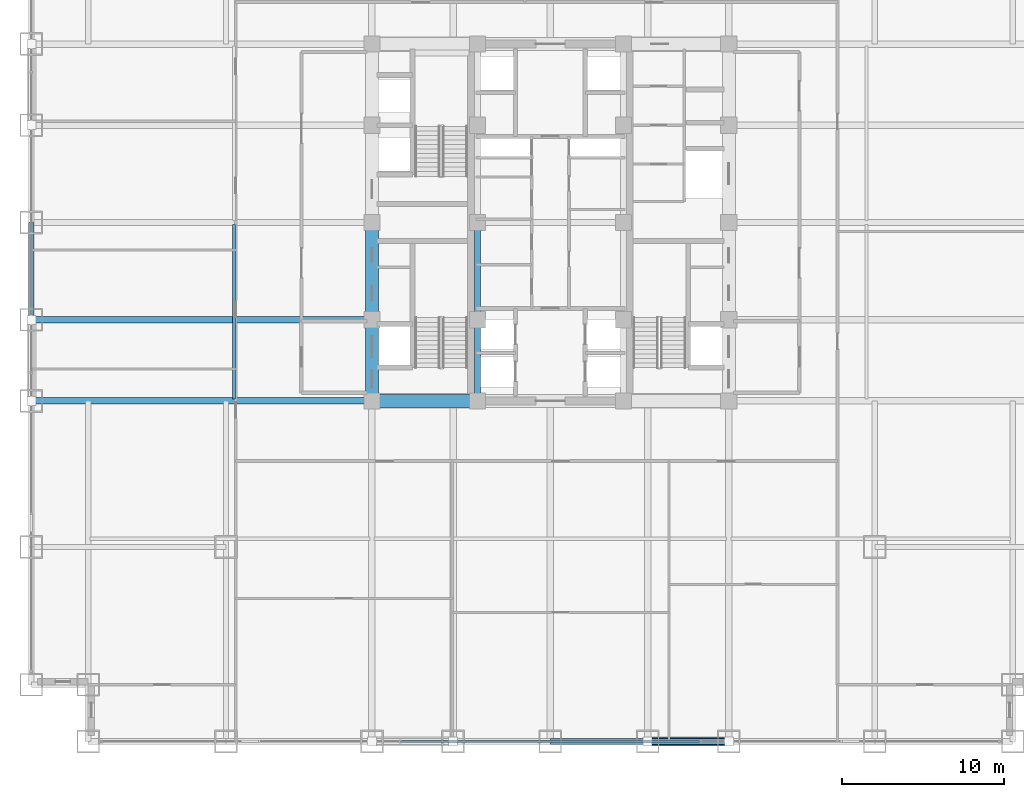
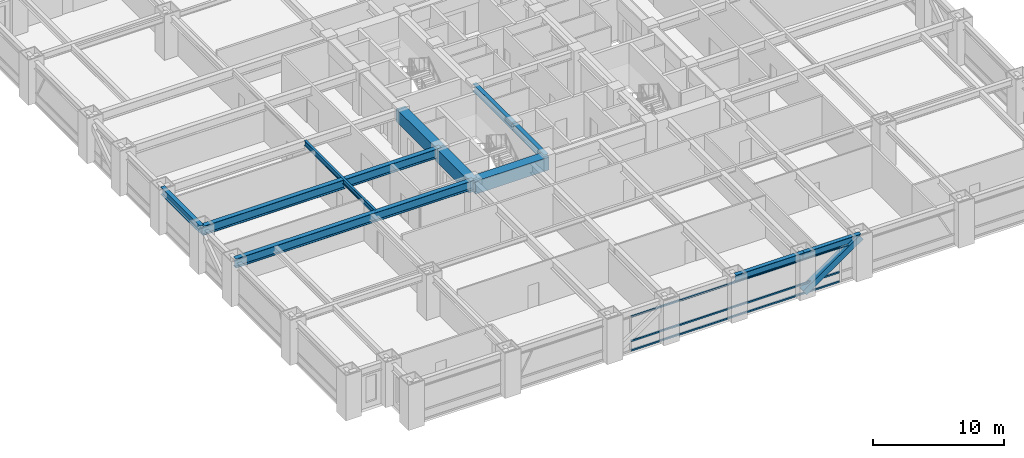
# One storey, part 7 of 28: 11 beams, 4 members, 1 element without a shape of its own.
"""IFC4 building model written with IfcOpenShell, lengths in metres."""

from ifc_helpers import new_model, si_unit, direction, frame, origin, origin_2d, place, context, subcontext, project, spatial, rectangle, hollow_rectangle, i_section, extrude, source, transform, mapped, material, material_profile, profile_set, type_object, element, aggregate, save


model = new_model("IFC4")

# Units and contexts
model_context = context("Model", 3, precision=1e-05, world=origin(), true_north=direction((0.0, 1.0)))
body_context = subcontext(model_context, "Body", "Model", "MODEL_VIEW")
ifc_project = project(units=[si_unit("LENGTHUNIT", "METRE"), si_unit("AREAUNIT", "SQUARE_METRE"), si_unit("VOLUMEUNIT", "CUBIC_METRE"), si_unit("PLANEANGLEUNIT", "RADIAN"), si_unit("MASSUNIT", "GRAM", prefix="KILO")], contexts=[model_context])

# Site, building, storey
site_placement = place(None, origin())
site = spatial("IfcSite", under=ifc_project, at=site_placement, CompositionType="ELEMENT")
building_placement = place(site_placement, origin())
building = spatial("IfcBuilding", under=site, at=building_placement, Name="Khorayat Bourse Tower", CompositionType="ELEMENT")
storey_placement = place(building_placement, frame((0.0, 0.0, 57.800048828125)))
storey = spatial("IfcBuildingStorey", under=building, at=storey_placement, Name="L12", CompositionType="ELEMENT", Elevation=57.800048828125)

# Beams
ifc_material_1 = material(Name="Concrete C72/90", Category="concrete")
ifc_material_profile_1 = material_profile(ifc_material_1, rectangle(XDim=0.800048828125, YDim=1.199951171875, at=origin_2d()), Name="RC 800x1200")
ifc_profile_set_1 = profile_set([ifc_material_profile_1], Name="Concrete C72/90")
beam_type_1 = type_object("IfcBeamType", Name="BM-COUP-1200", PredefinedType="BEAM", material=ifc_profile_set_1)
shared_shape_1 = source(origin(), body_context, "Body", "SweptSolid", [
    extrude(rectangle(XDim=0.800048828125, YDim=1.199951171875, at=origin_2d()), origin(), (0.0, 0.0, 1.0), 5.0),
])
beam_1_placement = place(storey_placement, frame((-11.0, -11.0, 3.33984375), z_axis=(0.0, 1.0, 0.0), x_axis=(-1.0, 0.0, 0.0)))
element("IfcBeam", 1, at=beam_1_placement, inside=storey, type_object=beam_type_1, Name="L12 BM-COUP-1200 BM-L12-CRX-01", PredefinedType="BEAM", context=body_context, shape_type="MappedRepresentation", body=[
    mapped(shared_shape_1, transform((0.0, 0.0, 0.0), scale=1.0)),
])
shared_shape_2 = source(origin(), body_context, "Body", "SweptSolid", [
    extrude(rectangle(XDim=0.800048828125, YDim=1.199951171875, at=origin_2d()), origin(), (0.0, 0.0, 1.0), 6.0),
])
beam_2_placement = place(storey_placement, frame((-11.0, -6.0, 3.33984375), z_axis=(0.0, 1.0, 0.0), x_axis=(-1.0, 0.0, 0.0)))
element("IfcBeam", 2, at=beam_2_placement, inside=storey, type_object=beam_type_1, Name="L12 BM-COUP-1200 BM-L12-CRX-02", PredefinedType="BEAM", context=body_context, shape_type="MappedRepresentation", body=[
    mapped(shared_shape_2, transform((0.0, 0.0, 0.0), scale=1.0)),
])
ifc_material_2 = material(Name="Steel ASTM A992 Grade 50", Category="steel")
ifc_material_profile_2 = material_profile(ifc_material_2, i_section(OverallWidth=0.35498046875, OverallDepth=0.695068359375, WebThickness=0.015380859375, FlangeThickness=0.02490234375, FilletRadius=0.01806640625, at=origin_2d()), Name="W690X217")
ifc_profile_set_2 = profile_set([ifc_material_profile_2], Name="Steel ASTM A992 Grade 50")
beam_type_2 = type_object("IfcBeamType", Name="BM-GIRD-690", PredefinedType="BEAM", material=ifc_profile_set_2)
shared_shape_3 = source(origin(), body_context, "Body", "SweptSolid", [
    extrude(i_section(OverallWidth=0.35498046875, OverallDepth=0.695068359375, WebThickness=0.015380859375, FlangeThickness=0.02490234375, FilletRadius=0.01806640625, at=origin_2d()), origin(), (0.0, 0.0, 1.0), 5.0),
])
beam_3_placement = place(storey_placement, frame((-4.5, -11.0, 3.592529296875), z_axis=(0.0, 1.0, 0.0), x_axis=(-1.0, 0.0, 0.0)))
element("IfcBeam", 3, at=beam_3_placement, inside=storey, type_object=beam_type_2, Name="L12 BM-GIRD-690 BM-L12-CRX-05", PredefinedType="BEAM", context=body_context, shape_type="MappedRepresentation", body=[
    mapped(shared_shape_3, transform((0.0, 0.0, 0.0), scale=1.0)),
])
shared_shape_4 = source(origin(), body_context, "Body", "SweptSolid", [
    extrude(i_section(OverallWidth=0.35498046875, OverallDepth=0.695068359375, WebThickness=0.015380859375, FlangeThickness=0.02490234375, FilletRadius=0.01806640625, at=origin_2d()), origin(), (0.0, 0.0, 1.0), 6.0),
])
beam_4_placement = place(storey_placement, frame((-4.5, -6.0, 3.592529296875), z_axis=(0.0, 1.0, 0.0), x_axis=(-1.0, 0.0, 0.0)))
element("IfcBeam", 4, at=beam_4_placement, inside=storey, type_object=beam_type_2, Name="L12 BM-GIRD-690 BM-L12-CRX-06", PredefinedType="BEAM", context=body_context, shape_type="MappedRepresentation", body=[
    mapped(shared_shape_4, transform((0.0, 0.0, 0.0), scale=1.0)),
])
shared_shape_5 = source(origin(), body_context, "Body", "SweptSolid", [
    extrude(rectangle(XDim=0.800048828125, YDim=1.199951171875, at=origin_2d()), origin(), (0.0, 0.0, 1.0), 6.5),
])
beam_5_placement = place(storey_placement, frame((-11.0, -11.0, 3.33984375), z_axis=(1.0, 0.0, 0.0), x_axis=(0.0, 1.0, 0.0)))
element("IfcBeam", 5, at=beam_5_placement, inside=storey, type_object=beam_type_1, Name="L12 BM-COUP-1200 BM-L12-CRY-17", PredefinedType="BEAM", context=body_context, shape_type="MappedRepresentation", body=[
    mapped(shared_shape_5, transform((0.0, 0.0, 0.0), scale=1.0)),
])
ifc_material_profile_3 = material_profile(ifc_material_2, i_section(OverallWidth=0.35498046875, OverallDepth=0.695068359375, WebThickness=0.015380859375, FlangeThickness=0.02490234375, FilletRadius=0.01806640625, at=origin_2d()), Name="W690X217")
ifc_profile_set_3 = profile_set([ifc_material_profile_3], Name="Steel ASTM A992 Grade 50")
beam_type_3 = type_object("IfcBeamType", Name="BM-SPAN-690", PredefinedType="SPANDREL", material=ifc_profile_set_3)
shared_shape_6 = source(origin(), body_context, "Body", "SweptSolid", [
    extrude(i_section(OverallWidth=0.35498046875, OverallDepth=0.695068359375, WebThickness=0.015380859375, FlangeThickness=0.02490234375, FilletRadius=0.01806640625, at=origin_2d()), origin(), (0.0, 0.0, 1.0), 5.0),
])
beam_6_placement = place(storey_placement, frame((6.0, -32.0, 3.592529296875), z_axis=(1.0, 0.0, 0.0), x_axis=(0.0, 1.0, 0.0)))
element("IfcBeam", 6, at=beam_6_placement, inside=storey, type_object=beam_type_3, Name="L12 BM-SPAN-690 BM-L12-SPN-029", PredefinedType="SPANDREL", context=body_context, shape_type="MappedRepresentation", body=[
    mapped(shared_shape_6, transform((0.0, 0.0, 0.0), scale=1.0)),
])
shared_shape_7 = source(origin(), body_context, "Body", "SweptSolid", [
    extrude(i_section(OverallWidth=0.35498046875, OverallDepth=0.695068359375, WebThickness=0.015380859375, FlangeThickness=0.02490234375, FilletRadius=0.01806640625, at=origin_2d()), origin(), (0.0, 0.0, 1.0), 6.0),
])
for number, where, z_axis, x_axis, name in (
    (7, (0.0, -32.0, 3.592529296875), (1.0, 0.0, 0.0), (0.0, 1.0, 0.0), "L12 BM-SPAN-690 BM-L12-SPN-028"),
    (8, (-32.0, -6.0, 3.592529296875), (0.0, 1.0, 0.0), (-1.0, 0.0, 0.0), "L12 BM-SPAN-690 BM-L12-SPN-058"),
):
    element("IfcBeam", number, at=place(storey_placement, frame(where, z_axis=z_axis, x_axis=x_axis)), inside=storey, type_object=beam_type_3, Name=name, PredefinedType="SPANDREL", context=body_context, shape_type="MappedRepresentation", body=[
        mapped(shared_shape_7, transform((0.0, 0.0, 0.0), scale=1.0)),
    ])
ifc_material_profile_4 = material_profile(ifc_material_2, i_section(OverallWidth=0.39990234375, OverallDepth=0.85498046875, WebThickness=0.018310546875, FlangeThickness=0.029296875, FilletRadius=0.02001953125, at=origin_2d()), Name="W840X299")
ifc_profile_set_4 = profile_set([ifc_material_profile_4], Name="Steel ASTM A992 Grade 50")
beam_type_4 = type_object("IfcBeamType", Name="BM-GIRD-840", PredefinedType="BEAM", material=ifc_profile_set_4)
shared_shape_8 = source(origin(), body_context, "Body", "SweptSolid", [
    extrude(i_section(OverallWidth=0.39990234375, OverallDepth=0.85498046875, WebThickness=0.018310546875, FlangeThickness=0.029296875, FilletRadius=0.02001953125, at=origin_2d()), origin(), (0.0, 0.0, 1.0), 21.0),
])
for number, where, z_axis, x_axis, name in (
    (9, (-32.0, -11.0, 3.512451171875), (1.0, 0.0, 0.0), (0.0, 1.0, 0.0), "L12 BM-GIRD-840 BM-L12-RADX-075"),
    (10, (-32.0, -6.0, 3.512451171875), (1.0, 0.0, 0.0), (0.0, 1.0, 0.0), "L12 BM-GIRD-840 BM-L12-RADX-077"),
):
    element("IfcBeam", number, at=place(storey_placement, frame(where, z_axis=z_axis, x_axis=x_axis)), inside=storey, type_object=beam_type_4, Name=name, PredefinedType="BEAM", context=body_context, shape_type="MappedRepresentation", body=[
        mapped(shared_shape_8, transform((0.0, 0.0, 0.0), scale=1.0)),
    ])
ifc_material_profile_5 = material_profile(ifc_material_2, i_section(OverallWidth=0.194091796875, OverallDepth=0.468994140625, WebThickness=0.0126953125, FlangeThickness=0.0205078125, FilletRadius=0.012939453125, at=origin_2d()), Name="W460X106")
ifc_profile_set_5 = profile_set([ifc_material_profile_5], Name="Steel ASTM A992 Grade 50")
beam_type_5 = type_object("IfcBeamType", Name="BM-JOIST-460", PredefinedType="JOIST", material=ifc_profile_set_5)
shared_shape_9 = source(origin(), body_context, "Body", "SweptSolid", [
    extrude(i_section(OverallWidth=0.194091796875, OverallDepth=0.468994140625, WebThickness=0.0126953125, FlangeThickness=0.0205078125, FilletRadius=0.012939453125, at=origin_2d()), origin(), (0.0, 0.0, 1.0), 10.740234375),
])
beam_7_placement = place(storey_placement, frame((-19.5, -10.8701171875, 3.70556640625), z_axis=(0.0, 1.0, 0.0), x_axis=(-1.0, 0.0, 0.0)))
element("IfcBeam", 11, at=beam_7_placement, inside=storey, type_object=beam_type_5, Name="L12 BM-JOIST-460 BM-L12-JSTY-102", PredefinedType="JOIST", context=body_context, shape_type="MappedRepresentation", body=[
    mapped(shared_shape_9, transform((0.0, 0.0, 0.0), scale=1.0)),
])

# Member
ifc_material_3 = material(Name="Steel EN 10025-4 S460M", Category="steel")
ifc_material_profile_6 = material_profile(ifc_material_3, hollow_rectangle(XDim=0.550048828125, YDim=0.550048828125, WallThickness=0.031982421875, at=origin_2d()), Name="HSS 550x550x32")
ifc_profile_set_6 = profile_set([ifc_material_profile_6], Name="Steel EN 10025-4 S460M")
member_type_1 = type_object("IfcMemberType", Name="MBR-TUBE-550", PredefinedType="BRACE", material=ifc_profile_set_6)
shared_shape_10 = source(origin(), body_context, "Body", "SweptSolid", [
    extrude(hollow_rectangle(XDim=0.550048828125, YDim=0.550048828125, WallThickness=0.031982421875, at=origin_2d()), origin(), (0.0, 0.0, 1.0), 6.069091796875),
])
member_1_placement = place(storey_placement, frame((6.0, -32.0, 0.25), z_axis=(0.823854080622, 0.0, 0.566801952928), x_axis=(0.0, 1.0, 0.0)))
element("IfcMember", 12, at=member_1_placement, inside=storey, type_object=member_type_1, Name="L12 Perimeter Tube Brace 02", PredefinedType="BRACE", context=body_context, shape_type="MappedRepresentation", body=[
    mapped(shared_shape_10, transform((0.0, 0.0, 0.0), scale=1.0)),
])

# Curtain wall, members
ifc_material_4 = material(Name="Aluminium EN AW-6063 T6", Category="aluminium")
curtain_wall_type = type_object("IfcCurtainWallType", Name="CW-SYS-02", PredefinedType="NOTDEFINED", material=ifc_material_4)
curtain_wall_placement = place(storey_placement, origin())
curtain_wall = element("IfcCurtainWall", 13, at=curtain_wall_placement, inside=storey, type_object=curtain_wall_type, Name="L12 Curtain Wall CW-L12-S1", PredefinedType="NOTDEFINED")
ifc_material_profile_7 = material_profile(ifc_material_4, hollow_rectangle(XDim=0.139892578125, YDim=0.139892578125, WallThickness=0.006103515625, at=origin_2d()), Name="ALU 140x140x6")
ifc_profile_set_7 = profile_set([ifc_material_profile_7], Name="Aluminium EN AW-6063 T6")
member_type_2 = type_object("IfcMemberType", Name="CWT-HORZ-140", PredefinedType="USERDEFINED", material=ifc_profile_set_7)
shared_shape_11 = source(origin(), body_context, "Body", "SweptSolid", [
    extrude(hollow_rectangle(XDim=0.139892578125, YDim=0.139892578125, WallThickness=0.006103515625, at=origin_2d()), origin(), (0.0, 0.0, 1.0), 18.35986328125),
])
member_2_placement = place(storey_placement, frame((-9.179931640625, -32.0, 0.070068359375), z_axis=(1.0, 0.0, 0.0), x_axis=(0.0, 1.0, 0.0)))
member_2 = element("IfcMember", 14, at=member_2_placement, type_object=member_type_2, Name="CW-L12-S1 Horizontal Transom 2-1", ObjectType="TRANSOM", PredefinedType="USERDEFINED", context=body_context, shape_type="MappedRepresentation", body=[
    mapped(shared_shape_11, transform((0.0, 0.0, 0.0), scale=1.0)),
])
member_3_placement = place(storey_placement, frame((-9.179931640625, -32.0, 0.949951171875), z_axis=(1.0, 0.0, 0.0), x_axis=(0.0, 1.0, 0.0)))
member_3 = element("IfcMember", 15, at=member_3_placement, type_object=member_type_2, Name="CW-L12-S1 Horizontal Transom 2-2", ObjectType="TRANSOM", PredefinedType="USERDEFINED", context=body_context, shape_type="MappedRepresentation", body=[
    mapped(shared_shape_11, transform((0.0, 0.0, 0.0), scale=1.0)),
])
member_4_placement = place(storey_placement, frame((-9.179931640625, -32.0, 3.219970703125), z_axis=(1.0, 0.0, 0.0), x_axis=(0.0, 1.0, 0.0)))
member_4 = element("IfcMember", 16, at=member_4_placement, type_object=member_type_2, Name="CW-L12-S1 Horizontal Transom 2-3", ObjectType="TRANSOM", PredefinedType="USERDEFINED", context=body_context, shape_type="MappedRepresentation", body=[
    mapped(shared_shape_11, transform((0.0, 0.0, 0.0), scale=1.0)),
])
aggregate(curtain_wall, [member_2, member_3, member_4])

save(model, "model.ifc")
